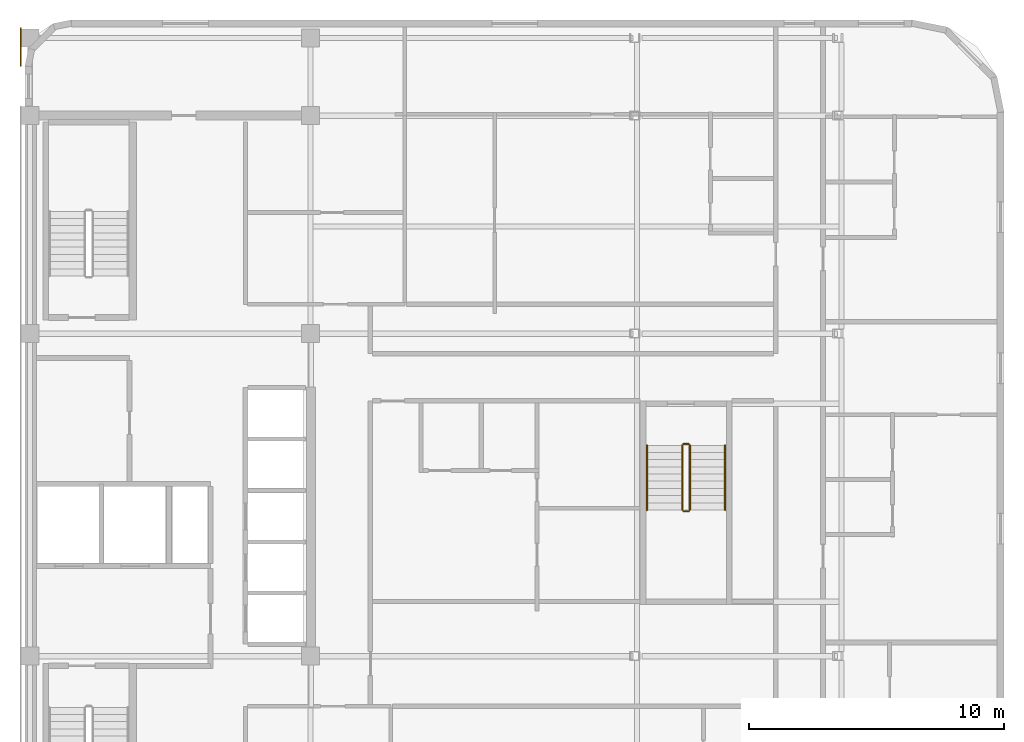
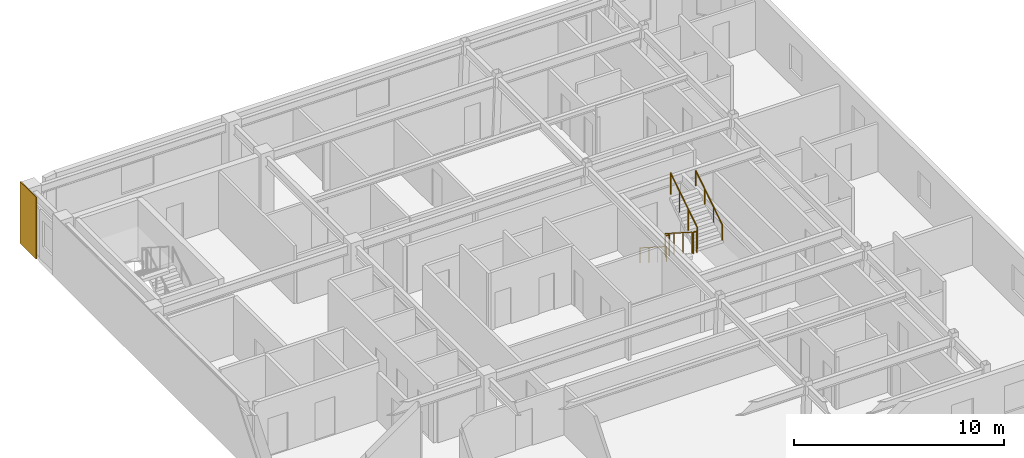
# One storey, part 8 of 8: 6 railings, 1 covering.
"""IFC4 building model written with IfcOpenShell, lengths in metres."""

import ifcopenshell
import ifcopenshell.guid

model = None  # the IFC model being written
_history = None  # IfcOwnerHistory: only IFC2X3 demands one
_inside = {}  # id of a spatial element -> (the spatial element, [elements in it])
_under = {}  # id of a project, library or spatial element -> (it, [spatial elements below it])
_declared = {}  # id of a project -> (the project, [libraries it declares])
_typed = {}  # id of a type object -> (the type object, [elements of that type])
_made_of = {}  # id of a material, layer set ... -> (it, [elements and type objects made of it])


def new_model(schema):
    """Start an empty IFC model of exactly this schema.

    Asked for "IFC4X3", IfcOpenShell would pick the latest addendum, in which some entities
    have other attributes; the version numbers below select the first issue.
    IFC2X3 requires an IfcOwnerHistory on every rooted entity: one is made here for all.
    """
    global model, _history
    if schema == "IFC4X3":
        model = ifcopenshell.file(schema_version=(4, 3, 0, 0))
    else:
        model = ifcopenshell.file(schema=schema)
    _inside.clear()
    _under.clear()
    _declared.clear()
    _typed.clear()
    _made_of.clear()
    _history = None
    if model.schema == "IFC2X3":
        org = make("IfcOrganization", Name="unknown")
        user = make(
            "IfcPersonAndOrganization",
            ThePerson=make("IfcPerson", FamilyName="unknown"),
            TheOrganization=org,
        )
        app = make(
            "IfcApplication",
            ApplicationDeveloper=org,
            Version="unknown",
            ApplicationFullName="unknown",
            ApplicationIdentifier="unknown",
        )
        _history = make(
            "IfcOwnerHistory",
            OwningUser=user,
            OwningApplication=app,
            ChangeAction="ADDED",
            CreationDate=0,
        )
    return model


def make(cls, **values):
    """One entity of the class cls with the attributes given. An attribute that is None is left unset."""
    return model.create_entity(
        cls, **{name: value for name, value in values.items() if value is not None}
    )


def rooted(cls, **values):
    """An entity with a GlobalId (a new one), such as an element, a storey or a relation."""
    return make(cls, GlobalId=ifcopenshell.guid.new(), OwnerHistory=_history, **values)


def si_unit(unit_type, name, prefix=None):
    """IfcSIUnit, for example si_unit("LENGTHUNIT", "METRE", prefix="MILLI")."""
    return make("IfcSIUnit", UnitType=unit_type, Prefix=prefix, Name=name)


def assignment(units):
    """IfcUnitAssignment: the units of a project."""
    return None if units is None else make("IfcUnitAssignment", Units=units)


def point(xyz):
    """IfcCartesianPoint."""
    return None if xyz is None else make("IfcCartesianPoint", Coordinates=xyz)


def direction(xyz):
    """IfcDirection."""
    return None if xyz is None else make("IfcDirection", DirectionRatios=xyz)


def frame(location, z_axis=None, x_axis=None):
    """IfcAxis2Placement3D, a coordinate frame: its origin and axes. An axis left out is left unset."""
    return make(
        "IfcAxis2Placement3D",
        Location=point(location),
        Axis=direction(z_axis),
        RefDirection=direction(x_axis),
    )


def frame_2d(location, x_axis=None):
    """IfcAxis2Placement2D, a coordinate frame in the plane: its origin and x axis."""
    return make(
        "IfcAxis2Placement2D", Location=point(location), RefDirection=direction(x_axis)
    )


def origin():
    """The frame at (0, 0, 0) with its axes left unset."""
    return frame((0.0, 0.0, 0.0))


def origin_2d():
    """The frame at (0, 0) in the plane with its x axis left unset."""
    return frame_2d((0.0, 0.0))


def place(relative_to, where):
    """IfcLocalPlacement: puts the frame where relative to a parent placement (None: the world)."""
    return make(
        "IfcLocalPlacement", PlacementRelTo=relative_to, RelativePlacement=where
    )


def context(
    kind, dimensions, precision=None, world=None, true_north=None, identifier=None
):
    """IfcGeometricRepresentationContext, for example the 3D "Model" context."""
    return make(
        "IfcGeometricRepresentationContext",
        ContextIdentifier=identifier,
        ContextType=kind,
        CoordinateSpaceDimension=dimensions,
        Precision=precision,
        WorldCoordinateSystem=world,
        TrueNorth=true_north,
    )


def subcontext(parent, identifier, kind, view, scale=None):
    """IfcGeometricRepresentationSubContext, for example "Body" below "Model"."""
    return make(
        "IfcGeometricRepresentationSubContext",
        ContextIdentifier=identifier,
        ContextType=kind,
        ParentContext=parent,
        TargetScale=scale,
        TargetView=view,
    )


def project(units=None, contexts=None):
    """IfcProject with its units and contexts."""
    return rooted(
        "IfcProject",
        Name="project",
        RepresentationContexts=contexts,
        UnitsInContext=assignment(units),
    )


def spatial(cls, under=None, at=None, **own):
    """A site, building, storey or space (cls), placed at a placement, below another one or the project."""
    s = rooted(cls, ObjectPlacement=at, **own)
    if under is not None:
        _under.setdefault(under.id(), (under, []))[1].append(s)
    return s


def profile(cls, at=None, kind="AREA", **sizes):
    """A parametric profile (cls). Its sizes go by their IFC names, for example OverallWidth=200.0."""
    return make(cls, ProfileType=kind, Position=at, **sizes)


def rectangle(**sizes):
    """IfcRectangleProfileDef."""
    return profile("IfcRectangleProfileDef", **sizes)


def circle(**sizes):
    """IfcCircleProfileDef."""
    return profile("IfcCircleProfileDef", **sizes)


def extrude(swept, where, along, depth):
    """IfcExtrudedAreaSolid: the profile swept, set in the frame where, extruded along a direction by depth."""
    return make(
        "IfcExtrudedAreaSolid",
        SweptArea=swept,
        Position=where,
        ExtrudedDirection=direction(along),
        Depth=depth,
    )


def shape(context_of_items, identifier, shape_type, items):
    """IfcShapeRepresentation: the items that make up one representation, for example the "Body"."""
    return make(
        "IfcShapeRepresentation",
        ContextOfItems=context_of_items,
        RepresentationIdentifier=identifier,
        RepresentationType=shape_type,
        Items=items,
    )


def material(Name=None, Category=None):
    """IfcMaterial."""
    return make("IfcMaterial", Name=Name, Category=Category)


def layer(
    of_material, thickness, ventilated=None, Name=None, Category=None, Priority=None
):
    """IfcMaterialLayer: one layer of a wall or slab, of a material (None: an air gap)."""
    return make(
        "IfcMaterialLayer",
        Material=of_material,
        LayerThickness=thickness,
        IsVentilated=ventilated,
        Name=Name,
        Category=Category,
        Priority=Priority,
    )


def layer_set(layers, Name=None):
    """IfcMaterialLayerSet."""
    return make("IfcMaterialLayerSet", MaterialLayers=layers, LayerSetName=Name)


def made_of(thing, what):
    """Note that an element or type object is made of a material, layer set ...; save() writes the relation."""
    if what is not None:
        _made_of.setdefault(what.id(), (what, []))[1].append(thing)
    return thing


def type_object(cls, material=None, **own):
    """A type object (cls), such as IfcWallType, which elements share."""
    return made_of(rooted(cls, **own), material)


def element(
    cls,
    number,
    at=None,
    inside=None,
    cuts=None,
    type_object=None,
    material=None,
    context=None,
    identifier="Body",
    shape_type=None,
    held_by="IfcProductDefinitionShape",
    body=None,
    shapes=None,
    **own,
):
    """One element of the class cls, such as IfcWall. Its Tag is "e" and its number.

    at: its placement. inside: the storey or other place that contains it. cuts: it is an
    opening in that element (IfcRelVoidsElement). A single representation is given by context,
    identifier, shape_type and body (its items); several are given by shapes. held_by: the class
    of the entity that holds the representations. save() writes the other relations.
    """
    e = rooted(cls, Tag="e%d" % number, ObjectPlacement=at, **own)
    if body is not None:
        shapes = [shape(context, identifier, shape_type, body)]
    if shapes is not None:
        e.Representation = make(held_by, Representations=shapes)
    if inside is not None:
        _inside.setdefault(inside.id(), (inside, []))[1].append(e)
    if cuts is not None:
        rooted(
            "IfcRelVoidsElement", RelatingBuildingElement=cuts, RelatedOpeningElement=e
        )
    if type_object is not None:
        _typed.setdefault(type_object.id(), (type_object, []))[1].append(e)
    return made_of(e, material)


def aggregate(whole, parts):
    """IfcRelAggregates: a whole, such as a stair, and the parts it consists of."""
    return rooted("IfcRelAggregates", RelatingObject=whole, RelatedObjects=parts)


def save(model, path):
    """Write the relations noted so far, then the file.

    IfcRelAggregates (storeys below a building ...), IfcRelContainedInSpatialStructure (elements
    in a storey), IfcRelDefinesByType, IfcRelAssociatesMaterial and IfcRelDeclares: one each for
    every whole, place, type object, material and project.
    """
    for whole, parts in _under.values():
        aggregate(whole, parts)
    for where, things in _inside.values():
        rooted(
            "IfcRelContainedInSpatialStructure",
            RelatedElements=things,
            RelatingStructure=where,
        )
    for kind, things in _typed.values():
        rooted("IfcRelDefinesByType", RelatedObjects=things, RelatingType=kind)
    for what, things in _made_of.values():
        rooted("IfcRelAssociatesMaterial", RelatedObjects=things, RelatingMaterial=what)
    for by, libraries in _declared.values():
        rooted("IfcRelDeclares", RelatingContext=by, RelatedDefinitions=libraries)
    model.write(path)


model = new_model("IFC4")

# Units and contexts
model_context = context("Model", 3, precision=1e-05, world=origin(), true_north=direction((0.0, 1.0)))
body_context = subcontext(model_context, "Body", "Model", "MODEL_VIEW")
ifc_project = project(units=[si_unit("LENGTHUNIT", "METRE"), si_unit("AREAUNIT", "SQUARE_METRE"), si_unit("VOLUMEUNIT", "CUBIC_METRE"), si_unit("PLANEANGLEUNIT", "RADIAN"), si_unit("MASSUNIT", "GRAM", prefix="KILO")], contexts=[model_context])

# Site, building, storey
site_placement = place(None, origin())
site = spatial("IfcSite", under=ifc_project, at=site_placement, CompositionType="ELEMENT")
building_placement = place(site_placement, origin())
building = spatial("IfcBuilding", under=site, at=building_placement, Name="Ochreholt Gables", CompositionType="ELEMENT")
storey_placement = place(building_placement, frame((0.0, 0.0, 227.39990234375)))
storey = spatial("IfcBuildingStorey", under=building, at=storey_placement, Name="L59", CompositionType="ELEMENT", Elevation=227.39990234375)

# Covering
ifc_material_1 = material(Name="Glazed Ochre Terracotta Rainscreen Cladding", Category="masonry")
ifc_layer = layer(ifc_material_1, 0.044921875, Name="Glazed Ochre Terracotta Rainscreen Cladding")
ifc_layer_set = layer_set([ifc_layer], Name="Glazed Ochre Terracotta Rainscreen Cladding")
covering_type = type_object("IfcCoveringType", Name="COV-CLAD-TC", PredefinedType="CLADDING", material=ifc_layer_set)
covering_placement = place(storey_placement, frame((23.827880859375, 41.43994140625, 0.010009765625), z_axis=(0.0, 0.0, 1.0), x_axis=(0.0, 1.0, 0.0)))
element("IfcCovering", 1, at=covering_placement, inside=storey, type_object=covering_type, Name="L59 North-West Pier Terracotta Cladding", PredefinedType="CLADDING", context=body_context, shape_type="SweptSolid", body=[
    extrude(rectangle(XDim=1.52001953125, YDim=0.044921875, at=origin_2d()), origin(), (0.0, 0.0, 1.0), 3.580078125),
])

# Railings
ifc_material_2 = material(Name="Painted Steel Stair Guardrail", Category="steel")
railing_type_1 = type_object("IfcRailingType", Name="RL-ST-GUARD", PredefinedType="GUARDRAIL", material=ifc_material_2)
railing_1_placement = place(storey_placement, frame((49.780029296875, 25.820068359375, 0.18017578125)))
element("IfcRailing", 2, at=railing_1_placement, inside=storey, type_object=railing_type_1, Name="L59 ST-C6 stair guard 1", PredefinedType="GUARDRAIL", context=body_context, shape_type="SweptSolid", body=[
    extrude(circle(Radius=0.02392578125, at=origin_2d()), frame((0.0, 0.0, 1.22607421875), z_axis=(0.0, -0.842949592929, 0.537992549931), x_axis=(1.0, 0.0, 0.0)), (0.0, 0.0, 1.0), 3.010986328125),
    extrude(circle(Radius=0.02099609375, at=origin_2d()), origin(), (0.0, 0.0, 1.0), 1.201904296875),
    extrude(circle(Radius=0.02099609375, at=origin_2d()), frame((0.0, -0.845947265625, 0.5400390625)), (0.0, 0.0, 1.0), 1.201904296875),
    extrude(circle(Radius=0.02099609375, at=origin_2d()), frame((0.0, -1.692138671875, 1.079833984375)), (0.0, 0.0, 1.0), 1.201904296875),
    extrude(circle(Radius=0.02099609375, at=origin_2d()), frame((0.0, -2.5380859375, 1.619873046875)), (0.0, 0.0, 1.0), 1.201904296875),
])
railing_2_placement = place(storey_placement, frame((49.830078125, 23.23193359375, 1.800048828125)))
element("IfcRailing", 3, at=railing_2_placement, inside=storey, type_object=railing_type_1, Name="L59 ST-C6 stair guard 2", PredefinedType="GUARDRAIL", context=body_context, shape_type="SweptSolid", body=[
    extrude(circle(Radius=0.02392578125, at=origin_2d()), frame((0.0, 0.0, 1.22607421875), z_axis=(1.0, 0.0, 0.0), x_axis=(0.0, 1.0, 0.0)), (0.0, 0.0, 1.0), 0.199951171875),
    extrude(circle(Radius=0.02099609375, at=origin_2d()), origin(), (0.0, 0.0, 1.0), 1.201904296875),
    extrude(circle(Radius=0.02099609375, at=origin_2d()), frame((0.199951171875, 0.0, 0.0)), (0.0, 0.0, 1.0), 1.201904296875),
])
railing_3_placement = place(storey_placement, frame((50.080078125, 23.281982421875, 1.97998046875)))
element("IfcRailing", 4, at=railing_3_placement, inside=storey, type_object=railing_type_1, Name="L59 ST-C6 stair guard 3", PredefinedType="GUARDRAIL", context=body_context, shape_type="SweptSolid", body=[
    extrude(circle(Radius=0.02392578125, at=origin_2d()), frame((0.0, 0.0, 1.22607421875), z_axis=(0.0, 0.842912820907, 0.538050161556), x_axis=(-1.0, 0.0, 0.0)), (0.0, 0.0, 1.0), 3.010986328125),
    extrude(circle(Radius=0.02099609375, at=origin_2d()), origin(), (0.0, 0.0, 1.0), 1.201904296875),
    extrude(circle(Radius=0.02099609375, at=origin_2d()), frame((0.0, 0.845947265625, 0.5400390625)), (0.0, 0.0, 1.0), 1.201904296875),
    extrude(circle(Radius=0.02099609375, at=origin_2d()), frame((0.0, 1.692138671875, 1.080078125)), (0.0, 0.0, 1.0), 1.201904296875),
    extrude(circle(Radius=0.02099609375, at=origin_2d()), frame((0.0, 2.5380859375, 1.6201171875)), (0.0, 0.0, 1.0), 1.201904296875),
])
railing_4_placement = place(storey_placement, frame((49.830078125, 25.8701171875, 0.0)))
element("IfcRailing", 5, at=railing_4_placement, inside=storey, type_object=railing_type_1, Name="L59 ST-C6 stair guard 4", PredefinedType="GUARDRAIL", context=body_context, shape_type="SweptSolid", body=[
    extrude(circle(Radius=0.02392578125, at=origin_2d()), frame((0.0, 0.0, 1.22607421875), z_axis=(1.0, 0.0, 0.0), x_axis=(0.0, 1.0, 0.0)), (0.0, 0.0, 1.0), 0.199951171875),
    extrude(circle(Radius=0.02099609375, at=origin_2d()), origin(), (0.0, 0.0, 1.0), 1.201904296875),
    extrude(circle(Radius=0.02099609375, at=origin_2d()), frame((0.199951171875, 0.0, 0.0)), (0.0, 0.0, 1.0), 1.201904296875),
])
ifc_material_3 = material(Name="Brushed Stainless Steel Wall Handrail", Category="steel")
railing_type_2 = type_object("IfcRailingType", Name="RL-ST-HAND", PredefinedType="HANDRAIL", material=ifc_material_3)
railing_5_placement = place(storey_placement, frame((48.39990234375, 25.820068359375, 0.18017578125)))
element("IfcRailing", 6, at=railing_5_placement, inside=storey, type_object=railing_type_2, Name="L59 ST-C6 stair handrail 1", PredefinedType="HANDRAIL", context=body_context, shape_type="SweptSolid", body=[
    extrude(circle(Radius=0.02392578125, at=origin_2d()), frame((0.0, 0.0, 0.8759765625), z_axis=(0.0, -0.842949592929, 0.537992549931), x_axis=(1.0, 0.0, 0.0)), (0.0, 0.0, 1.0), 3.010986328125),
    extrude(circle(Radius=0.02099609375, at=origin_2d()), origin(), (0.0, 0.0, 1.0), 0.851806640625),
    extrude(circle(Radius=0.02099609375, at=origin_2d()), frame((0.0, -0.845947265625, 0.5400390625)), (0.0, 0.0, 1.0), 0.851806640625),
    extrude(circle(Radius=0.02099609375, at=origin_2d()), frame((0.0, -1.692138671875, 1.079833984375)), (0.0, 0.0, 1.0), 0.851806640625),
    extrude(circle(Radius=0.02099609375, at=origin_2d()), frame((0.0, -2.5380859375, 1.619873046875)), (0.0, 0.0, 1.0), 0.851806640625),
])
railing_6_placement = place(storey_placement, frame((51.4599609375, 23.281982421875, 1.97998046875)))
element("IfcRailing", 7, at=railing_6_placement, inside=storey, type_object=railing_type_2, Name="L59 ST-C6 stair handrail 2", PredefinedType="HANDRAIL", context=body_context, shape_type="SweptSolid", body=[
    extrude(circle(Radius=0.02392578125, at=origin_2d()), frame((0.0, 0.0, 0.8759765625), z_axis=(0.0, 0.842912820907, 0.538050161556), x_axis=(-1.0, 0.0, 0.0)), (0.0, 0.0, 1.0), 3.010986328125),
    extrude(circle(Radius=0.02099609375, at=origin_2d()), origin(), (0.0, 0.0, 1.0), 0.851806640625),
    extrude(circle(Radius=0.02099609375, at=origin_2d()), frame((0.0, 0.845947265625, 0.5400390625)), (0.0, 0.0, 1.0), 0.851806640625),
    extrude(circle(Radius=0.02099609375, at=origin_2d()), frame((0.0, 1.692138671875, 1.080078125)), (0.0, 0.0, 1.0), 0.851806640625),
    extrude(circle(Radius=0.02099609375, at=origin_2d()), frame((0.0, 2.5380859375, 1.6201171875)), (0.0, 0.0, 1.0), 0.851806640625),
])

save(model, "model.ifc")
